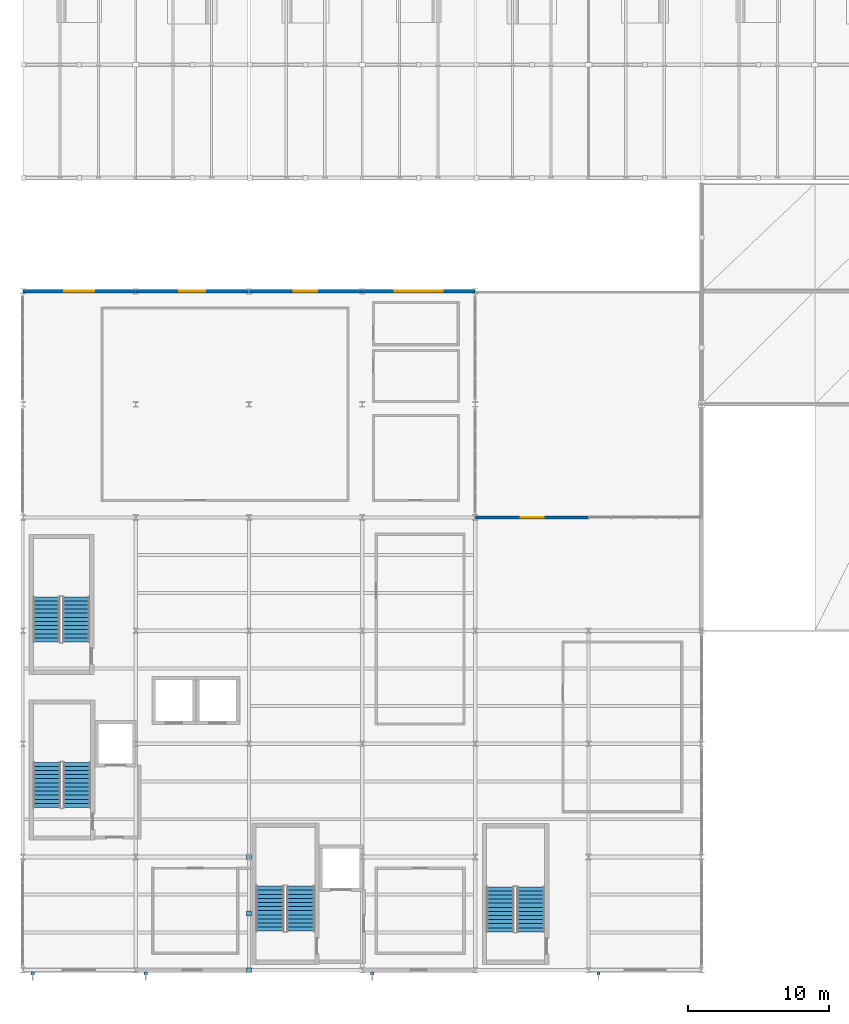
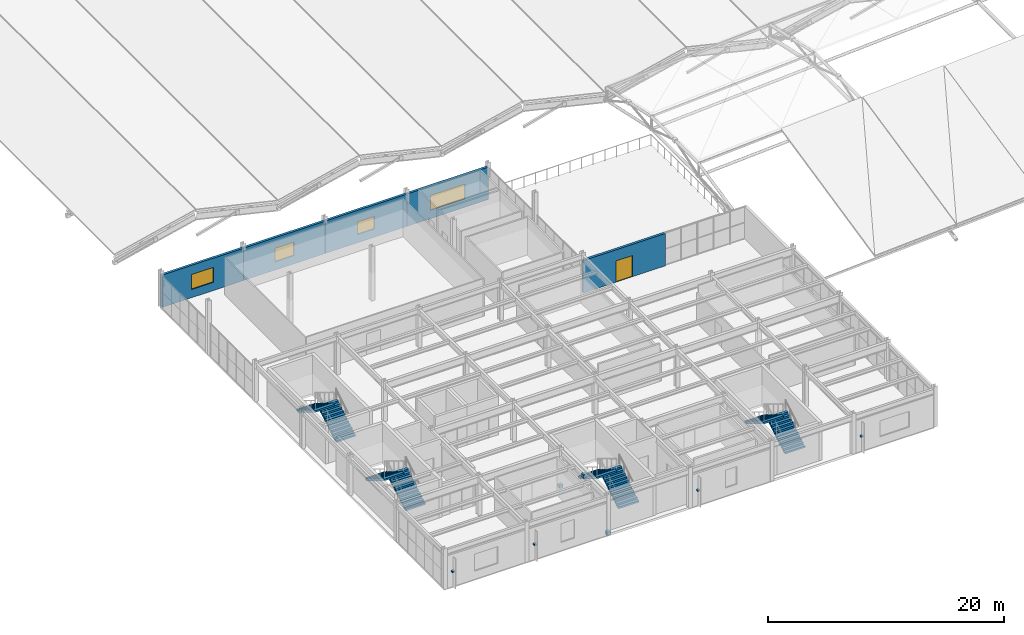
# One storey, part 46 of 67: 8 stair flights, 7 discrete accessories, 5 walls, 4 windows, 1 door, 5 openings, 4 elements without a shape of their own.
"""IFC4 building model written with IfcOpenShell, lengths in metres."""

from ifc_helpers import new_model, si_unit, direction, frame, frame_2d, origin, origin_2d, place, context, subcontext, project, spatial, polyline, rectangle, outline, extrude, material, layer, layer_set, type_object, element, fill, aggregate, save


model = new_model("IFC4")

# Units and contexts
model_context = context("Model", 3, precision=1e-05, world=origin(), true_north=direction((0.0, 1.0)))
body_context = subcontext(model_context, "Body", "Model", "MODEL_VIEW")
ifc_project = project(units=[si_unit("LENGTHUNIT", "METRE"), si_unit("AREAUNIT", "SQUARE_METRE"), si_unit("VOLUMEUNIT", "CUBIC_METRE"), si_unit("PLANEANGLEUNIT", "RADIAN"), si_unit("MASSUNIT", "GRAM", prefix="KILO")], contexts=[model_context])

# Site, building, storey
site_placement = place(None, origin())
site = spatial("IfcSite", under=ifc_project, at=site_placement, CompositionType="ELEMENT")
building_placement = place(site_placement, origin())
building = spatial("IfcBuilding", under=site, at=building_placement, Name="Drelvath Fold Interchange", CompositionType="ELEMENT")
storey_placement = place(building_placement, frame((0.0, 0.0, 15.60009765625)))
storey = spatial("IfcBuildingStorey", under=building, at=storey_placement, Name="L03", CompositionType="ELEMENT", Elevation=15.60009765625)

# Wall, opening, door
ifc_material_1 = material(Name="Perforated Anodized Aluminium Rainscreen", Category="aluminium")
ifc_layer = layer(ifc_material_1, 0.235107421875, Name="Perforated Anodized Aluminium Rainscreen")
ifc_layer_set = layer_set([ifc_layer], Name="Perforated Anodized Aluminium Rainscreen")
wall_type = type_object("IfcWallType", Name="WL-EXT235", PredefinedType="SOLIDWALL", material=ifc_layer_set)
wall_1_placement = place(storey_placement, frame((36.010009765625, 35.0, 0.0), z_axis=(0.0, 0.0, 1.0), x_axis=(1.0, 0.0, 0.0)))
wall_1 = element("IfcWall", 1, at=wall_1_placement, inside=storey, type_object=wall_type, Name="L03 exterior facade wall 73", PredefinedType="SOLIDWALL", context=body_context, shape_type="SweptSolid", body=[
    extrude(rectangle(XDim=8.034912109375, YDim=0.235107421875, at=frame_2d((4.017578125, 0.0))), origin(), (0.0, 0.0, 1.0), 3.349853515625),
])
opening_1_placement = place(wall_1_placement, frame((3.193115234375, 0.0, 0.0)))
opening_1 = element("IfcOpeningElement", 2, at=opening_1_placement, cuts=wall_1, Name="Opening D-L03-068", PredefinedType="OPENING", context=body_context, shape_type="SweptSolid", body=[
    extrude(rectangle(XDim=1.64990234375, YDim=2.199951171875, at=frame_2d((0.824951171875, 1.10009765625))), frame((0.0, 0.12744140625, 0.0), z_axis=(0.0, -1.0, 0.0), x_axis=(1.0, 0.0, 0.0)), (0.0, 0.0, 1.0), 0.255126953125),
])
ifc_material_2 = material(Name="Anodized Aluminium Glazed Door Assembly", Category="aluminium")
door_type = type_object("IfcDoorType", Name="DR-TR1650", OperationType="DOUBLE_DOOR_SINGLE_SWING", PredefinedType="DOOR", material=ifc_material_2)
door_placement = place(opening_1_placement, origin())
door = element("IfcDoor", 3, at=door_placement, inside=storey, type_object=door_type, Name="L03 outdoor terrace access door D-L03-068", OperationType="DOUBLE_DOOR_SINGLE_SWING", OverallHeight=2.199951171875, OverallWidth=1.64990234375, PredefinedType="DOOR", context=body_context, shape_type="SweptSolid", body=[
    extrude(rectangle(XDim=1.64990234375, YDim=2.199951171875, at=frame_2d((0.824951171875, 1.10009765625))), frame((0.0, 0.02490234375, 0.0), z_axis=(0.0, -1.0, 0.0), x_axis=(1.0, 0.0, 0.0)), (0.0, 0.0, 1.0), 0.050048828125),
])
fill(opening_1, door)

# Wall, opening, window
wall_2_placement = place(storey_placement, frame((4.010009765625, 51.0, 0.0), z_axis=(0.0, 0.0, 1.0), x_axis=(1.0, 0.0, 0.0)))
wall_2 = element("IfcWall", 4, at=wall_2_placement, inside=storey, type_object=wall_type, Name="L03 exterior facade wall 74", PredefinedType="SOLIDWALL", context=body_context, shape_type="SweptSolid", body=[
    extrude(rectangle(XDim=7.97998046875, YDim=0.235107421875, at=frame_2d((3.989990234375, 0.0))), origin(), (0.0, 0.0, 1.0), 3.349853515625),
])
opening_2_placement = place(wall_2_placement, frame((2.9150390625, 0.0, 0.85009765625)))
opening_2 = element("IfcOpeningElement", 5, at=opening_2_placement, cuts=wall_2, Name="Opening W-L03-066", PredefinedType="OPENING", context=body_context, shape_type="SweptSolid", body=[
    extrude(rectangle(XDim=2.14990234375, YDim=1.550048828125, at=frame_2d((1.074951171875, 0.77490234375))), frame((0.0, 0.12744140625, 0.0), z_axis=(0.0, -1.0, 0.0), x_axis=(1.0, 0.0, 0.0)), (0.0, 0.0, 1.0), 0.255126953125),
])
ifc_material_3 = material(Name="Low-Iron Insulated Laminated Glass", Category="glass")
window_type_1 = type_object("IfcWindowType", Name="WN-215x155", PartitioningType="DOUBLE_PANEL_VERTICAL", PredefinedType="WINDOW", material=ifc_material_3)
window_1_placement = place(opening_2_placement, origin())
window_1 = element("IfcWindow", 6, at=window_1_placement, inside=storey, type_object=window_type_1, Name="Facade window W-L03-066", OverallHeight=1.550048828125, OverallWidth=2.14990234375, PartitioningType="SINGLE_PANEL", PredefinedType="WINDOW", context=body_context, shape_type="SweptSolid", body=[
    extrude(rectangle(XDim=2.14990234375, YDim=1.550048828125, at=frame_2d((1.074951171875, 0.77490234375))), frame((0.0, 0.030029296875, 0.0), z_axis=(0.0, -1.0, 0.0), x_axis=(1.0, 0.0, 0.0)), (0.0, 0.0, 1.0), 0.06005859375),
])
fill(opening_2, window_1)

wall_3_placement = place(storey_placement, frame((12.010009765625, 51.0, 0.0), z_axis=(0.0, 0.0, 1.0), x_axis=(1.0, 0.0, 0.0)))
wall_3 = element("IfcWall", 7, at=wall_3_placement, inside=storey, type_object=wall_type, Name="L03 exterior facade wall 75", PredefinedType="SOLIDWALL", context=body_context, shape_type="SweptSolid", body=[
    extrude(rectangle(XDim=7.97998046875, YDim=0.235107421875, at=frame_2d((3.989990234375, 0.0))), origin(), (0.0, 0.0, 1.0), 3.349853515625),
])
opening_3_placement = place(wall_3_placement, frame((3.06494140625, 0.0, 0.85009765625)))
opening_3 = element("IfcOpeningElement", 8, at=opening_3_placement, cuts=wall_3, Name="Opening W-L03-067", PredefinedType="OPENING", context=body_context, shape_type="SweptSolid", body=[
    extrude(rectangle(XDim=1.85009765625, YDim=1.39990234375, at=frame_2d((0.925048828125, 0.699951171875))), frame((0.0, 0.12744140625, 0.0), z_axis=(0.0, -1.0, 0.0), x_axis=(1.0, 0.0, 0.0)), (0.0, 0.0, 1.0), 0.255126953125),
])
window_type_2 = type_object("IfcWindowType", Name="WN-185x140", PartitioningType="DOUBLE_PANEL_VERTICAL", PredefinedType="WINDOW", material=ifc_material_3)
window_2_placement = place(opening_3_placement, origin())
window_2 = element("IfcWindow", 9, at=window_2_placement, inside=storey, type_object=window_type_2, Name="Facade window W-L03-067", OverallHeight=1.39990234375, OverallWidth=1.85009765625, PartitioningType="SINGLE_PANEL", PredefinedType="WINDOW", context=body_context, shape_type="SweptSolid", body=[
    extrude(rectangle(XDim=1.85009765625, YDim=1.39990234375, at=frame_2d((0.925048828125, 0.699951171875))), frame((0.0, 0.030029296875, 0.0), z_axis=(0.0, -1.0, 0.0), x_axis=(1.0, 0.0, 0.0)), (0.0, 0.0, 1.0), 0.06005859375),
])
fill(opening_3, window_2)

wall_4_placement = place(storey_placement, frame((20.010009765625, 51.0, 0.0), z_axis=(0.0, 0.0, 1.0), x_axis=(1.0, 0.0, 0.0)))
wall_4 = element("IfcWall", 10, at=wall_4_placement, inside=storey, type_object=wall_type, Name="L03 exterior facade wall 76", PredefinedType="SOLIDWALL", context=body_context, shape_type="SweptSolid", body=[
    extrude(rectangle(XDim=7.97998046875, YDim=0.235107421875, at=frame_2d((3.989990234375, 0.0))), origin(), (0.0, 0.0, 1.0), 3.349853515625),
])
opening_4_placement = place(wall_4_placement, frame((3.1650390625, 0.0, 0.85009765625)))
opening_4 = element("IfcOpeningElement", 11, at=opening_4_placement, cuts=wall_4, Name="Opening W-L03-068", PredefinedType="OPENING", context=body_context, shape_type="SweptSolid", body=[
    extrude(rectangle(XDim=1.64990234375, YDim=1.300048828125, at=frame_2d((0.824951171875, 0.64990234375))), frame((0.0, 0.12744140625, 0.0), z_axis=(0.0, -1.0, 0.0), x_axis=(1.0, 0.0, 0.0)), (0.0, 0.0, 1.0), 0.255126953125),
])
window_type_3 = type_object("IfcWindowType", Name="WN-165x130", PartitioningType="SINGLE_PANEL", PredefinedType="WINDOW", material=ifc_material_3)
window_3_placement = place(opening_4_placement, origin())
window_3 = element("IfcWindow", 12, at=window_3_placement, inside=storey, type_object=window_type_3, Name="Facade window W-L03-068", OverallHeight=1.300048828125, OverallWidth=1.64990234375, PartitioningType="SINGLE_PANEL", PredefinedType="WINDOW", context=body_context, shape_type="SweptSolid", body=[
    extrude(rectangle(XDim=1.64990234375, YDim=1.300048828125, at=frame_2d((0.824951171875, 0.64990234375))), frame((0.0, 0.030029296875, 0.0), z_axis=(0.0, -1.0, 0.0), x_axis=(1.0, 0.0, 0.0)), (0.0, 0.0, 1.0), 0.06005859375),
])
fill(opening_4, window_3)

wall_5_placement = place(storey_placement, frame((28.010009765625, 51.0, 0.0), z_axis=(0.0, 0.0, 1.0), x_axis=(1.0, 0.0, 0.0)))
wall_5 = element("IfcWall", 13, at=wall_5_placement, inside=storey, type_object=wall_type, Name="L03 exterior facade wall 77", PredefinedType="SOLIDWALL", context=body_context, shape_type="SweptSolid", body=[
    extrude(rectangle(XDim=7.97998046875, YDim=0.235107421875, at=frame_2d((3.989990234375, 0.0))), origin(), (0.0, 0.0, 1.0), 3.349853515625),
])
opening_5_placement = place(wall_5_placement, frame((2.2900390625, 0.0, 0.85009765625)))
opening_5 = element("IfcOpeningElement", 14, at=opening_5_placement, cuts=wall_5, Name="Opening W-L03-069", PredefinedType="OPENING", context=body_context, shape_type="SweptSolid", body=[
    extrude(rectangle(XDim=3.39990234375, YDim=1.550048828125, at=frame_2d((1.699951171875, 0.77490234375))), frame((0.0, 0.12744140625, 0.0), z_axis=(0.0, -1.0, 0.0), x_axis=(1.0, 0.0, 0.0)), (0.0, 0.0, 1.0), 0.255126953125),
])
window_type_4 = type_object("IfcWindowType", Name="WN-340x155", PartitioningType="TRIPLE_PANEL_HORIZONTAL", PredefinedType="WINDOW", material=ifc_material_3)
window_4_placement = place(opening_5_placement, origin())
window_4 = element("IfcWindow", 15, at=window_4_placement, inside=storey, type_object=window_type_4, Name="Facade window W-L03-069", OverallHeight=1.550048828125, OverallWidth=3.39990234375, PartitioningType="SINGLE_PANEL", PredefinedType="WINDOW", context=body_context, shape_type="SweptSolid", body=[
    extrude(rectangle(XDim=3.39990234375, YDim=1.550048828125, at=frame_2d((1.699951171875, 0.77490234375))), frame((0.0, 0.030029296875, 0.0), z_axis=(0.0, -1.0, 0.0), x_axis=(1.0, 0.0, 0.0)), (0.0, 0.0, 1.0), 0.06005859375),
])
fill(opening_5, window_4)

# Stair, stair flights
ifc_material_4 = material(Name="Concrete f'c 35 MPa (5000 psi)", Category="concrete")
stair_type_1 = type_object("IfcStairType", Name="STR-01", PredefinedType="HALF_TURN_STAIR", material=ifc_material_4)
stair_1_placement = place(storey_placement, origin())
stair_1 = element("IfcStair", 16, at=stair_1_placement, inside=storey, type_object=stair_type_1, Name="L03 Protected Exit Stair ST-01", PredefinedType="HALF_TURN_STAIR")
stair_flight_type_1 = type_object("IfcStairFlightType", Name="STF-01", PredefinedType="STRAIGHT", material=ifc_material_4)
stair_flight_1_placement = place(storey_placement, frame((7.844970703125, 14.5, 0.0), z_axis=(0.0, 0.0, 1.0), x_axis=(0.0, 1.0, 0.0)))
stair_flight_1 = element("IfcStairFlight", 17, at=stair_flight_1_placement, type_object=stair_flight_type_1, Name="ST-01 flight 1", NumberOfRisers=12, NumberOfTreads=11, PredefinedType="STRAIGHT", RiserHeight=0.175, TreadLength=0.29, context=body_context, shape_type="SweptSolid", body=[
    extrude(outline(polyline([(0.0, 0.0), (0.0, 0.175048828125), (0.2900390625, 0.175048828125), (0.2900390625, 0.35009765625), (0.580078125, 0.35009765625), (0.580078125, 0.52490234375), (0.8701171875, 0.52490234375), (0.8701171875, 0.699951171875), (1.159912109375, 0.699951171875), (1.159912109375, 0.875), (1.449951171875, 0.875), (1.449951171875, 1.050048828125), (1.739990234375, 1.050048828125), (1.739990234375, 1.22509765625), (2.030029296875, 1.22509765625), (2.030029296875, 1.39990234375), (2.320068359375, 1.39990234375), (2.320068359375, 1.574951171875), (2.610107421875, 1.574951171875), (2.610107421875, 1.75), (2.89990234375, 1.75), (2.89990234375, 1.925048828125), (3.18994140625, 1.925048828125), (3.18994140625, 2.10009765625), (3.18994140625, 1.75), (0.2900390625, 0.0), (0.0, 0.0)])), frame((0.0, 0.96484375, 0.0), z_axis=(0.0, -1.0, 0.0), x_axis=(1.0, 0.0, 0.0)), (0.0, 0.0, 1.0), 1.929931640625),
])
stair_flight_2_placement = place(storey_placement, frame((5.715087890625, 17.68994140625, 2.099853515625), z_axis=(0.0, 0.0, 1.0), x_axis=(0.0, -1.0, 0.0)))
stair_flight_2 = element("IfcStairFlight", 18, at=stair_flight_2_placement, type_object=stair_flight_type_1, Name="ST-01 flight 2", NumberOfRisers=12, NumberOfTreads=11, PredefinedType="STRAIGHT", RiserHeight=0.175, TreadLength=0.29, context=body_context, shape_type="SweptSolid", body=[
    extrude(outline(polyline([(0.0, 0.0), (0.0, 0.175048828125), (0.2900390625, 0.175048828125), (0.2900390625, 0.35009765625), (0.580078125, 0.35009765625), (0.580078125, 0.52490234375), (0.8701171875, 0.52490234375), (0.8701171875, 0.699951171875), (1.159912109375, 0.699951171875), (1.159912109375, 0.875), (1.449951171875, 0.875), (1.449951171875, 1.050048828125), (1.739990234375, 1.050048828125), (1.739990234375, 1.22509765625), (2.030029296875, 1.22509765625), (2.030029296875, 1.39990234375), (2.320068359375, 1.39990234375), (2.320068359375, 1.574951171875), (2.610107421875, 1.574951171875), (2.610107421875, 1.75), (2.89990234375, 1.75), (2.89990234375, 1.925048828125), (3.18994140625, 1.925048828125), (3.18994140625, 2.10009765625), (3.18994140625, 1.75), (0.2900390625, 0.0), (0.0, 0.0)])), frame((0.0, 0.96484375, 0.0), z_axis=(0.0, -1.0, 0.0), x_axis=(1.0, 0.0, 0.0)), (0.0, 0.0, 1.0), 1.929931640625),
])
aggregate(stair_1, [stair_flight_1, stair_flight_2])

stair_type_2 = type_object("IfcStairType", Name="STR-02", PredefinedType="HALF_TURN_STAIR", material=ifc_material_4)
stair_2_placement = place(storey_placement, origin())
stair_2 = element("IfcStair", 19, at=stair_2_placement, inside=storey, type_object=stair_type_2, Name="L03 Protected Exit Stair ST-02", PredefinedType="HALF_TURN_STAIR")
stair_flight_type_2 = type_object("IfcStairFlightType", Name="STF-02", PredefinedType="STRAIGHT", material=ifc_material_4)
stair_flight_3_placement = place(storey_placement, frame((7.784912109375, 26.199951171875, 0.0), z_axis=(0.0, 0.0, 1.0), x_axis=(0.0, 1.0, 0.0)))
stair_flight_3 = element("IfcStairFlight", 20, at=stair_flight_3_placement, type_object=stair_flight_type_2, Name="ST-02 flight 1", NumberOfRisers=12, NumberOfTreads=11, PredefinedType="STRAIGHT", RiserHeight=0.175, TreadLength=0.29, context=body_context, shape_type="SweptSolid", body=[
    extrude(outline(polyline([(0.0, 0.0), (0.0, 0.175048828125), (0.2900390625, 0.175048828125), (0.2900390625, 0.35009765625), (0.580078125, 0.35009765625), (0.580078125, 0.52490234375), (0.8701171875, 0.52490234375), (0.8701171875, 0.699951171875), (1.159912109375, 0.699951171875), (1.159912109375, 0.875), (1.449951171875, 0.875), (1.449951171875, 1.050048828125), (1.739990234375, 1.050048828125), (1.739990234375, 1.22509765625), (2.030029296875, 1.22509765625), (2.030029296875, 1.39990234375), (2.320068359375, 1.39990234375), (2.320068359375, 1.574951171875), (2.610107421875, 1.574951171875), (2.610107421875, 1.75), (2.89990234375, 1.75), (2.89990234375, 1.925048828125), (3.18994140625, 1.925048828125), (3.18994140625, 2.10009765625), (3.18994140625, 1.75), (0.2900390625, 0.0), (0.0, 0.0)])), frame((0.0, 0.94482421875, 0.0), z_axis=(0.0, -1.0, 0.0), x_axis=(1.0, 0.0, 0.0)), (0.0, 0.0, 1.0), 1.889892578125),
])
stair_flight_4_placement = place(storey_placement, frame((5.695068359375, 29.389892578125, 2.099853515625), z_axis=(0.0, 0.0, 1.0), x_axis=(0.0, -1.0, 0.0)))
stair_flight_4 = element("IfcStairFlight", 21, at=stair_flight_4_placement, type_object=stair_flight_type_2, Name="ST-02 flight 2", NumberOfRisers=12, NumberOfTreads=11, PredefinedType="STRAIGHT", RiserHeight=0.175, TreadLength=0.29, context=body_context, shape_type="SweptSolid", body=[
    extrude(outline(polyline([(0.0, 0.0), (0.0, 0.175048828125), (0.2900390625, 0.175048828125), (0.2900390625, 0.35009765625), (0.580078125, 0.35009765625), (0.580078125, 0.52490234375), (0.8701171875, 0.52490234375), (0.8701171875, 0.699951171875), (1.159912109375, 0.699951171875), (1.159912109375, 0.875), (1.449951171875, 0.875), (1.449951171875, 1.050048828125), (1.739990234375, 1.050048828125), (1.739990234375, 1.22509765625), (2.030029296875, 1.22509765625), (2.030029296875, 1.39990234375), (2.320068359375, 1.39990234375), (2.320068359375, 1.574951171875), (2.610107421875, 1.574951171875), (2.610107421875, 1.75), (2.89990234375, 1.75), (2.89990234375, 1.925048828125), (3.18994140625, 1.925048828125), (3.18994140625, 2.10009765625), (3.18994140625, 1.75), (0.2900390625, 0.0), (0.0, 0.0)])), frame((0.0, 0.94482421875, 0.0), z_axis=(0.0, -1.0, 0.0), x_axis=(1.0, 0.0, 0.0)), (0.0, 0.0, 1.0), 1.889892578125),
])
aggregate(stair_2, [stair_flight_3, stair_flight_4])

stair_type_3 = type_object("IfcStairType", Name="STR-03", PredefinedType="HALF_TURN_STAIR", material=ifc_material_4)
stair_3_placement = place(storey_placement, origin())
stair_3 = element("IfcStair", 22, at=stair_3_placement, inside=storey, type_object=stair_type_3, Name="L03 Protected Exit Stair ST-03", PredefinedType="HALF_TURN_STAIR")
stair_flight_type_3 = type_object("IfcStairFlightType", Name="STF-03", PredefinedType="STRAIGHT", material=ifc_material_4)
stair_flight_5_placement = place(storey_placement, frame((23.669921875, 5.75, 0.0), z_axis=(0.0, 0.0, 1.0), x_axis=(0.0, 1.0, 0.0)))
stair_flight_5 = element("IfcStairFlight", 23, at=stair_flight_5_placement, type_object=stair_flight_type_3, Name="ST-03 flight 1", NumberOfRisers=12, NumberOfTreads=11, PredefinedType="STRAIGHT", RiserHeight=0.175, TreadLength=0.29, context=body_context, shape_type="SweptSolid", body=[
    extrude(outline(polyline([(0.0, 0.0), (0.0, 0.175048828125), (0.2900390625, 0.175048828125), (0.2900390625, 0.35009765625), (0.580078125, 0.35009765625), (0.580078125, 0.52490234375), (0.8701171875, 0.52490234375), (0.8701171875, 0.699951171875), (1.159912109375, 0.699951171875), (1.159912109375, 0.875), (1.449951171875, 0.875), (1.449951171875, 1.050048828125), (1.739990234375, 1.050048828125), (1.739990234375, 1.22509765625), (2.030029296875, 1.22509765625), (2.030029296875, 1.39990234375), (2.320068359375, 1.39990234375), (2.320068359375, 1.574951171875), (2.610107421875, 1.574951171875), (2.610107421875, 1.75), (2.89990234375, 1.75), (2.89990234375, 1.925048828125), (3.18994140625, 1.925048828125), (3.18994140625, 2.10009765625), (3.18994140625, 1.75), (0.2900390625, 0.0), (0.0, 0.0)])), frame((0.0, 0.989990234375, 0.0), z_axis=(0.0, -1.0, 0.0), x_axis=(1.0, 0.0, 0.0)), (0.0, 0.0, 1.0), 1.97998046875),
])
stair_flight_6_placement = place(storey_placement, frame((21.489990234375, 8.93994140625, 2.099853515625), z_axis=(0.0, 0.0, 1.0), x_axis=(0.0, -1.0, 0.0)))
stair_flight_6 = element("IfcStairFlight", 24, at=stair_flight_6_placement, type_object=stair_flight_type_3, Name="ST-03 flight 2", NumberOfRisers=12, NumberOfTreads=11, PredefinedType="STRAIGHT", RiserHeight=0.175, TreadLength=0.29, context=body_context, shape_type="SweptSolid", body=[
    extrude(outline(polyline([(0.0, 0.0), (0.0, 0.175048828125), (0.2900390625, 0.175048828125), (0.2900390625, 0.35009765625), (0.580078125, 0.35009765625), (0.580078125, 0.52490234375), (0.8701171875, 0.52490234375), (0.8701171875, 0.699951171875), (1.159912109375, 0.699951171875), (1.159912109375, 0.875), (1.449951171875, 0.875), (1.449951171875, 1.050048828125), (1.739990234375, 1.050048828125), (1.739990234375, 1.22509765625), (2.030029296875, 1.22509765625), (2.030029296875, 1.39990234375), (2.320068359375, 1.39990234375), (2.320068359375, 1.574951171875), (2.610107421875, 1.574951171875), (2.610107421875, 1.75), (2.89990234375, 1.75), (2.89990234375, 1.925048828125), (3.18994140625, 1.925048828125), (3.18994140625, 2.10009765625), (3.18994140625, 1.75), (0.2900390625, 0.0), (0.0, 0.0)])), frame((0.0, 0.989990234375, 0.0), z_axis=(0.0, -1.0, 0.0), x_axis=(1.0, 0.0, 0.0)), (0.0, 0.0, 1.0), 1.97998046875),
])
aggregate(stair_3, [stair_flight_5, stair_flight_6])

stair_type_4 = type_object("IfcStairType", Name="STR-04", PredefinedType="HALF_TURN_STAIR", material=ifc_material_4)
stair_4_placement = place(storey_placement, origin())
stair_4 = element("IfcStair", 25, at=stair_4_placement, inside=storey, type_object=stair_type_4, Name="L03 Protected Exit Stair ST-04", PredefinedType="HALF_TURN_STAIR")
stair_flight_type_4 = type_object("IfcStairFlightType", Name="STF-04", PredefinedType="STRAIGHT", material=ifc_material_4)
stair_flight_7_placement = place(storey_placement, frame((39.925048828125, 5.699951171875, 0.0), z_axis=(0.0, 0.0, 1.0), x_axis=(0.0, 1.0, 0.0)))
stair_flight_7 = element("IfcStairFlight", 26, at=stair_flight_7_placement, type_object=stair_flight_type_4, Name="ST-04 flight 1", NumberOfRisers=12, NumberOfTreads=11, PredefinedType="STRAIGHT", RiserHeight=0.175, TreadLength=0.29, context=body_context, shape_type="SweptSolid", body=[
    extrude(outline(polyline([(0.0, 0.0), (0.0, 0.175048828125), (0.2900390625, 0.175048828125), (0.2900390625, 0.35009765625), (0.580078125, 0.35009765625), (0.580078125, 0.52490234375), (0.8701171875, 0.52490234375), (0.8701171875, 0.699951171875), (1.159912109375, 0.699951171875), (1.159912109375, 0.875), (1.449951171875, 0.875), (1.449951171875, 1.050048828125), (1.739990234375, 1.050048828125), (1.739990234375, 1.22509765625), (2.030029296875, 1.22509765625), (2.030029296875, 1.39990234375), (2.320068359375, 1.39990234375), (2.320068359375, 1.574951171875), (2.610107421875, 1.574951171875), (2.610107421875, 1.75), (2.89990234375, 1.75), (2.89990234375, 1.925048828125), (3.18994140625, 1.925048828125), (3.18994140625, 2.10009765625), (3.18994140625, 1.75), (0.2900390625, 0.0), (0.0, 0.0)])), frame((0.0, 0.97509765625, 0.0), z_axis=(0.0, -1.0, 0.0), x_axis=(1.0, 0.0, 0.0)), (0.0, 0.0, 1.0), 1.949951171875),
])
stair_flight_8_placement = place(storey_placement, frame((37.77490234375, 8.889892578125, 2.099853515625), z_axis=(0.0, 0.0, 1.0), x_axis=(0.0, -1.0, 0.0)))
stair_flight_8 = element("IfcStairFlight", 27, at=stair_flight_8_placement, type_object=stair_flight_type_4, Name="ST-04 flight 2", NumberOfRisers=12, NumberOfTreads=11, PredefinedType="STRAIGHT", RiserHeight=0.175, TreadLength=0.29, context=body_context, shape_type="SweptSolid", body=[
    extrude(outline(polyline([(0.0, 0.0), (0.0, 0.175048828125), (0.2900390625, 0.175048828125), (0.2900390625, 0.35009765625), (0.580078125, 0.35009765625), (0.580078125, 0.52490234375), (0.8701171875, 0.52490234375), (0.8701171875, 0.699951171875), (1.159912109375, 0.699951171875), (1.159912109375, 0.875), (1.449951171875, 0.875), (1.449951171875, 1.050048828125), (1.739990234375, 1.050048828125), (1.739990234375, 1.22509765625), (2.030029296875, 1.22509765625), (2.030029296875, 1.39990234375), (2.320068359375, 1.39990234375), (2.320068359375, 1.574951171875), (2.610107421875, 1.574951171875), (2.610107421875, 1.75), (2.89990234375, 1.75), (2.89990234375, 1.925048828125), (3.18994140625, 1.925048828125), (3.18994140625, 2.10009765625), (3.18994140625, 1.75), (0.2900390625, 0.0), (0.0, 0.0)])), frame((0.0, 0.97509765625, 0.0), z_axis=(0.0, -1.0, 0.0), x_axis=(1.0, 0.0, 0.0)), (0.0, 0.0, 1.0), 1.949951171875),
])
aggregate(stair_4, [stair_flight_7, stair_flight_8])

# Discrete accessories
ifc_material_5 = material(Name="Stainless Steel 316L", Category="steel")
discrete_accessory_type_1 = type_object("IfcDiscreteAccessoryType", Name="AC-BRK220", PredefinedType="BRACKET", material=ifc_material_5)
for number, where, z_axis, x_axis, name in (
    (28, (4.7099609375, 2.762939453125, 1.56982421875), (0.0, 0.0, 1.0), (0.0, 1.0, 0.0), "Solar fin bracket 28"),
    (29, (12.7099609375, 2.762939453125, 1.56982421875), (0.0, 0.0, 1.0), (0.0, 1.0, 0.0), "Solar fin bracket 29"),
    (30, (28.7099609375, 2.762939453125, 1.56982421875), (0.0, 0.0, 1.0), (0.0, 1.0, 0.0), "Solar fin bracket 30"),
    (31, (44.7099609375, 2.762939453125, 1.56982421875), (0.0, 0.0, 1.0), (0.0, 1.0, 0.0), "Solar fin bracket 31"),
):
    element("IfcDiscreteAccessory", number, at=place(storey_placement, frame(where, z_axis=z_axis, x_axis=x_axis)), inside=storey, type_object=discrete_accessory_type_1, Name=name, PredefinedType="BRACKET", context=body_context, shape_type="SweptSolid", body=[
        extrude(rectangle(XDim=0.239990234375, YDim=0.239990234375, at=origin_2d()), origin(), (0.0, 0.0, 1.0), 0.159912109375),
    ])
ifc_material_6 = material(Name="Steel ASTM A572 Grade 50", Category="steel")
discrete_accessory_type_2 = type_object("IfcDiscreteAccessoryType", Name="AC-CAP380", PredefinedType="BRACKET", material=ifc_material_6)
for number, where, z_axis, x_axis, name in (
    (32, (20.0, 2.99609375, -0.0146484375), (0.0, 0.0, 1.0), (1.0, 0.0, 0.0), "Welded hollow member end cap 542"),
    (33, (20.0, 7.00390625, 3.50244140625), (0.0, 0.0, 1.0), (1.0, 0.0, 0.0), "Welded hollow member end cap 543"),
    (34, (20.0, 11.00390625, -0.0146484375), (0.0, 0.0, 1.0), (1.0, 0.0, 0.0), "Welded hollow member end cap 544"),
):
    element("IfcDiscreteAccessory", number, at=place(storey_placement, frame(where, z_axis=z_axis, x_axis=x_axis)), inside=storey, type_object=discrete_accessory_type_2, Name=name, PredefinedType="BRACKET", context=body_context, shape_type="SweptSolid", body=[
        extrude(rectangle(XDim=0.343017578125, YDim=0.343017578125, at=origin_2d()), origin(), (0.0, 0.0, 1.0), 0.343017578125),
    ])

save(model, "model.ifc")
